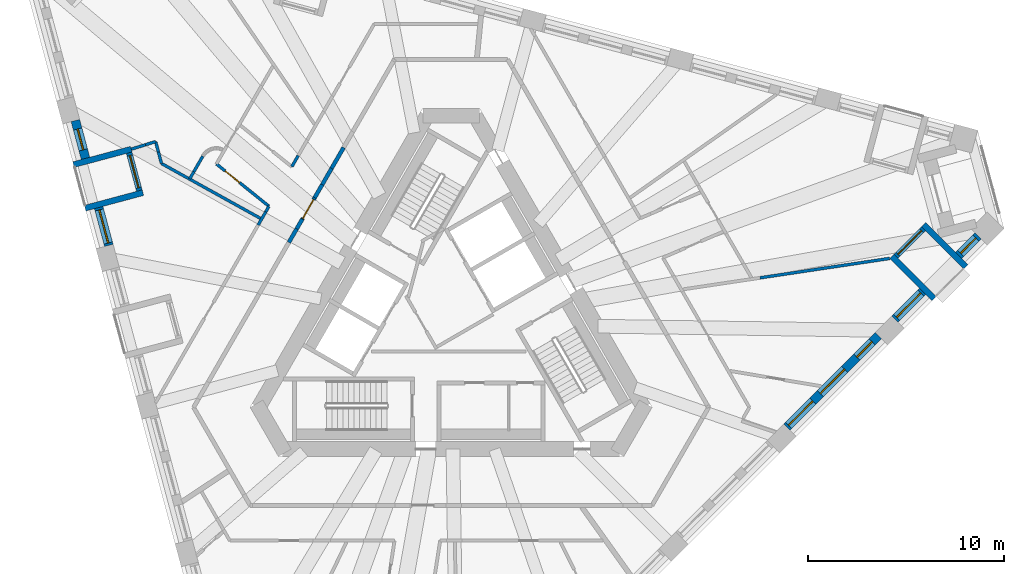
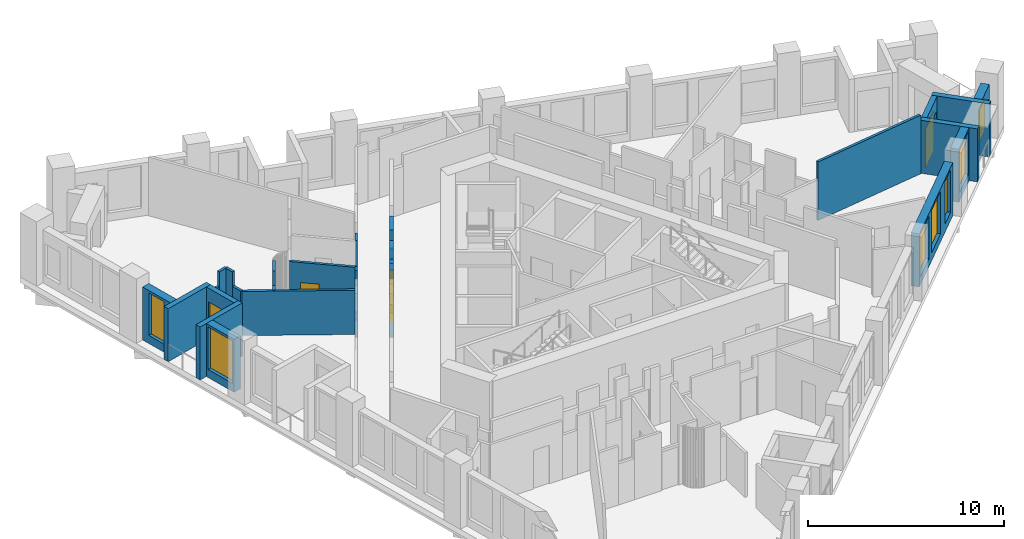
# One storey, part 6 of 13: 29 walls, 7 windows, 4 doors, 11 openings.
"""IFC4 building model written with IfcOpenShell, lengths in metres."""

import ifcopenshell
import ifcopenshell.guid

model = None  # the IFC model being written
_history = None  # IfcOwnerHistory: only IFC2X3 demands one
_inside = {}  # id of a spatial element -> (the spatial element, [elements in it])
_under = {}  # id of a project, library or spatial element -> (it, [spatial elements below it])
_declared = {}  # id of a project -> (the project, [libraries it declares])
_typed = {}  # id of a type object -> (the type object, [elements of that type])
_made_of = {}  # id of a material, layer set ... -> (it, [elements and type objects made of it])


def new_model(schema):
    """Start an empty IFC model of exactly this schema.

    Asked for "IFC4X3", IfcOpenShell would pick the latest addendum, in which some entities
    have other attributes; the version numbers below select the first issue.
    IFC2X3 requires an IfcOwnerHistory on every rooted entity: one is made here for all.
    """
    global model, _history
    if schema == "IFC4X3":
        model = ifcopenshell.file(schema_version=(4, 3, 0, 0))
    else:
        model = ifcopenshell.file(schema=schema)
    _inside.clear()
    _under.clear()
    _declared.clear()
    _typed.clear()
    _made_of.clear()
    _history = None
    if model.schema == "IFC2X3":
        org = make("IfcOrganization", Name="unknown")
        user = make(
            "IfcPersonAndOrganization",
            ThePerson=make("IfcPerson", FamilyName="unknown"),
            TheOrganization=org,
        )
        app = make(
            "IfcApplication",
            ApplicationDeveloper=org,
            Version="unknown",
            ApplicationFullName="unknown",
            ApplicationIdentifier="unknown",
        )
        _history = make(
            "IfcOwnerHistory",
            OwningUser=user,
            OwningApplication=app,
            ChangeAction="ADDED",
            CreationDate=0,
        )
    return model


def make(cls, **values):
    """One entity of the class cls with the attributes given. An attribute that is None is left unset."""
    return model.create_entity(
        cls, **{name: value for name, value in values.items() if value is not None}
    )


def rooted(cls, **values):
    """An entity with a GlobalId (a new one), such as an element, a storey or a relation."""
    return make(cls, GlobalId=ifcopenshell.guid.new(), OwnerHistory=_history, **values)


def si_unit(unit_type, name, prefix=None):
    """IfcSIUnit, for example si_unit("LENGTHUNIT", "METRE", prefix="MILLI")."""
    return make("IfcSIUnit", UnitType=unit_type, Prefix=prefix, Name=name)


def assignment(units):
    """IfcUnitAssignment: the units of a project."""
    return None if units is None else make("IfcUnitAssignment", Units=units)


def point(xyz):
    """IfcCartesianPoint."""
    return None if xyz is None else make("IfcCartesianPoint", Coordinates=xyz)


def direction(xyz):
    """IfcDirection."""
    return None if xyz is None else make("IfcDirection", DirectionRatios=xyz)


def frame(location, z_axis=None, x_axis=None):
    """IfcAxis2Placement3D, a coordinate frame: its origin and axes. An axis left out is left unset."""
    return make(
        "IfcAxis2Placement3D",
        Location=point(location),
        Axis=direction(z_axis),
        RefDirection=direction(x_axis),
    )


def frame_2d(location, x_axis=None):
    """IfcAxis2Placement2D, a coordinate frame in the plane: its origin and x axis."""
    return make(
        "IfcAxis2Placement2D", Location=point(location), RefDirection=direction(x_axis)
    )


def origin():
    """The frame at (0, 0, 0) with its axes left unset."""
    return frame((0.0, 0.0, 0.0))


def place(relative_to, where):
    """IfcLocalPlacement: puts the frame where relative to a parent placement (None: the world)."""
    return make(
        "IfcLocalPlacement", PlacementRelTo=relative_to, RelativePlacement=where
    )


def context(
    kind, dimensions, precision=None, world=None, true_north=None, identifier=None
):
    """IfcGeometricRepresentationContext, for example the 3D "Model" context."""
    return make(
        "IfcGeometricRepresentationContext",
        ContextIdentifier=identifier,
        ContextType=kind,
        CoordinateSpaceDimension=dimensions,
        Precision=precision,
        WorldCoordinateSystem=world,
        TrueNorth=true_north,
    )


def subcontext(parent, identifier, kind, view, scale=None):
    """IfcGeometricRepresentationSubContext, for example "Body" below "Model"."""
    return make(
        "IfcGeometricRepresentationSubContext",
        ContextIdentifier=identifier,
        ContextType=kind,
        ParentContext=parent,
        TargetScale=scale,
        TargetView=view,
    )


def project(units=None, contexts=None):
    """IfcProject with its units and contexts."""
    return rooted(
        "IfcProject",
        Name="project",
        RepresentationContexts=contexts,
        UnitsInContext=assignment(units),
    )


def spatial(cls, under=None, at=None, **own):
    """A site, building, storey or space (cls), placed at a placement, below another one or the project."""
    s = rooted(cls, ObjectPlacement=at, **own)
    if under is not None:
        _under.setdefault(under.id(), (under, []))[1].append(s)
    return s


def polyline(points):
    """IfcPolyline through the points."""
    return make("IfcPolyline", Points=[point(p) for p in points])


def profile(cls, at=None, kind="AREA", **sizes):
    """A parametric profile (cls). Its sizes go by their IFC names, for example OverallWidth=200.0."""
    return make(cls, ProfileType=kind, Position=at, **sizes)


def rectangle(**sizes):
    """IfcRectangleProfileDef."""
    return profile("IfcRectangleProfileDef", **sizes)


def outline(outer, holes=None, kind="AREA"):
    """IfcArbitraryClosedProfileDef: a profile drawn as a closed curve; with holes, ...WithVoids."""
    if holes is None:
        return make("IfcArbitraryClosedProfileDef", ProfileType=kind, OuterCurve=outer)
    return make(
        "IfcArbitraryProfileDefWithVoids",
        ProfileType=kind,
        OuterCurve=outer,
        InnerCurves=holes,
    )


def extrude(swept, where, along, depth):
    """IfcExtrudedAreaSolid: the profile swept, set in the frame where, extruded along a direction by depth."""
    return make(
        "IfcExtrudedAreaSolid",
        SweptArea=swept,
        Position=where,
        ExtrudedDirection=direction(along),
        Depth=depth,
    )


def shape(context_of_items, identifier, shape_type, items):
    """IfcShapeRepresentation: the items that make up one representation, for example the "Body"."""
    return make(
        "IfcShapeRepresentation",
        ContextOfItems=context_of_items,
        RepresentationIdentifier=identifier,
        RepresentationType=shape_type,
        Items=items,
    )


def material(Name=None, Category=None):
    """IfcMaterial."""
    return make("IfcMaterial", Name=Name, Category=Category)


def layer(
    of_material, thickness, ventilated=None, Name=None, Category=None, Priority=None
):
    """IfcMaterialLayer: one layer of a wall or slab, of a material (None: an air gap)."""
    return make(
        "IfcMaterialLayer",
        Material=of_material,
        LayerThickness=thickness,
        IsVentilated=ventilated,
        Name=Name,
        Category=Category,
        Priority=Priority,
    )


def layer_set(layers, Name=None):
    """IfcMaterialLayerSet."""
    return make("IfcMaterialLayerSet", MaterialLayers=layers, LayerSetName=Name)


def made_of(thing, what):
    """Note that an element or type object is made of a material, layer set ...; save() writes the relation."""
    if what is not None:
        _made_of.setdefault(what.id(), (what, []))[1].append(thing)
    return thing


def type_object(cls, material=None, **own):
    """A type object (cls), such as IfcWallType, which elements share."""
    return made_of(rooted(cls, **own), material)


def element(
    cls,
    number,
    at=None,
    inside=None,
    cuts=None,
    type_object=None,
    material=None,
    context=None,
    identifier="Body",
    shape_type=None,
    held_by="IfcProductDefinitionShape",
    body=None,
    shapes=None,
    **own,
):
    """One element of the class cls, such as IfcWall. Its Tag is "e" and its number.

    at: its placement. inside: the storey or other place that contains it. cuts: it is an
    opening in that element (IfcRelVoidsElement). A single representation is given by context,
    identifier, shape_type and body (its items); several are given by shapes. held_by: the class
    of the entity that holds the representations. save() writes the other relations.
    """
    e = rooted(cls, Tag="e%d" % number, ObjectPlacement=at, **own)
    if body is not None:
        shapes = [shape(context, identifier, shape_type, body)]
    if shapes is not None:
        e.Representation = make(held_by, Representations=shapes)
    if inside is not None:
        _inside.setdefault(inside.id(), (inside, []))[1].append(e)
    if cuts is not None:
        rooted(
            "IfcRelVoidsElement", RelatingBuildingElement=cuts, RelatedOpeningElement=e
        )
    if type_object is not None:
        _typed.setdefault(type_object.id(), (type_object, []))[1].append(e)
    return made_of(e, material)


def fill(opening, filler):
    """IfcRelFillsElement: the door or window that sits in an opening."""
    return rooted(
        "IfcRelFillsElement",
        RelatingOpeningElement=opening,
        RelatedBuildingElement=filler,
    )


def aggregate(whole, parts):
    """IfcRelAggregates: a whole, such as a stair, and the parts it consists of."""
    return rooted("IfcRelAggregates", RelatingObject=whole, RelatedObjects=parts)


def save(model, path):
    """Write the relations noted so far, then the file.

    IfcRelAggregates (storeys below a building ...), IfcRelContainedInSpatialStructure (elements
    in a storey), IfcRelDefinesByType, IfcRelAssociatesMaterial and IfcRelDeclares: one each for
    every whole, place, type object, material and project.
    """
    for whole, parts in _under.values():
        aggregate(whole, parts)
    for where, things in _inside.values():
        rooted(
            "IfcRelContainedInSpatialStructure",
            RelatedElements=things,
            RelatingStructure=where,
        )
    for kind, things in _typed.values():
        rooted("IfcRelDefinesByType", RelatedObjects=things, RelatingType=kind)
    for what, things in _made_of.values():
        rooted("IfcRelAssociatesMaterial", RelatedObjects=things, RelatingMaterial=what)
    for by, libraries in _declared.values():
        rooted("IfcRelDeclares", RelatingContext=by, RelatedDefinitions=libraries)
    model.write(path)


model = new_model("IFC4")

# Units and contexts
model_context = context("Model", 3, precision=1e-05, world=origin(), true_north=direction((0.0, 1.0)))
body_context = subcontext(model_context, "Body", "Model", "MODEL_VIEW")
ifc_project = project(units=[si_unit("LENGTHUNIT", "METRE"), si_unit("AREAUNIT", "SQUARE_METRE"), si_unit("VOLUMEUNIT", "CUBIC_METRE"), si_unit("PLANEANGLEUNIT", "RADIAN"), si_unit("MASSUNIT", "GRAM", prefix="KILO")], contexts=[model_context])

# Site, building, storey
site_placement = place(None, origin())
site = spatial("IfcSite", under=ifc_project, at=site_placement, CompositionType="ELEMENT")
building_placement = place(site_placement, origin())
building = spatial("IfcBuilding", under=site, at=building_placement, Name="Tramontana Tower", CompositionType="ELEMENT")
storey_placement = place(building_placement, frame((0.0, 0.0, 220.0)))
storey = spatial("IfcBuildingStorey", under=building, at=storey_placement, Name="L51", CompositionType="ELEMENT", Elevation=220.0)

# Walls
ifc_material_1 = material(Name="Blockwork", Category="masonry")
ifc_layer_1 = layer(ifc_material_1, 0.199951171875)
ifc_layer_set_1 = layer_set([ifc_layer_1], Name="ENTRY WALL 200")
wall_type_1 = type_object("IfcWallType", Name="ENTRY WALL 200", PredefinedType="SOLIDWALL", material=ifc_layer_set_1)
wall_1_placement = place(storey_placement, frame((-8.2783203125, 4.16162109375, 0.0), z_axis=(0.0, 0.0, 1.0), x_axis=(0.500109828528, 0.865961984968, 0.0)))
element("IfcWall", 1, at=wall_1_placement, inside=storey, type_object=wall_type_1, Name="Wall v51-ew4-5", PredefinedType="SOLIDWALL", context=body_context, shape_type="SweptSolid", body=[
    extrude(rectangle(XDim=0.800048828125, YDim=0.199951171875, at=frame_2d((0.39990234375, 0.0))), origin(), (0.0, 0.0, 1.0), 2.75),
])
wall_2_placement = place(storey_placement, frame((-7.878173828125, 4.8544921875, 0.0), z_axis=(0.0, 0.0, 1.0), x_axis=(0.499783563124, 0.866150327617, 0.0)))
element("IfcWall", 2, at=wall_2_placement, inside=storey, type_object=wall_type_1, Name="Wall v51-ew4-6", PredefinedType="SOLIDWALL", context=body_context, shape_type="SweptSolid", body=[
    extrude(rectangle(XDim=0.576416015625, YDim=0.199951171875, at=frame_2d((0.2880859375, 0.0))), origin(), (0.0, 0.0, 1.0), 3.64990234375),
])

# Wall, opening, door
wall_3_placement = place(storey_placement, frame((-7.590087890625, 5.353759765625, 0.0), z_axis=(0.0, 0.0, 1.0), x_axis=(0.50013570633, 0.86594703952, 0.0)))
wall_3 = element("IfcWall", 3, at=wall_3_placement, inside=storey, type_object=wall_type_1, Name="Wall v51-ew4-7", PredefinedType="SOLIDWALL", context=body_context, shape_type="SweptSolid", body=[
    extrude(outline(polyline([(0.0, 0.0), (1.261474609375, 0.0), (1.261474609375, 2.550048828125), (0.347412109375, 2.550048828125), (0.347412109375, 3.64990234375), (0.0, 3.64990234375), (0.0, 0.0)])), frame((0.0, 0.10009765625, 0.0), z_axis=(0.0, -1.0, 0.0), x_axis=(1.0, 0.0, 0.0)), (0.0, 0.0, 1.0), 0.199951171875),
])
opening_1_placement = place(wall_3_placement, frame((0.050048828125, 0.0, 0.0)))
opening_1 = element("IfcOpeningElement", 4, at=opening_1_placement, cuts=wall_3, Name="Opening B5B-19", PredefinedType="OPENING", context=body_context, shape_type="SweptSolid", body=[
    extrude(rectangle(XDim=1.10009765625, YDim=2.39990234375, at=frame_2d((0.550048828125, 1.199951171875))), frame((0.0, 0.10986328125, 0.0), z_axis=(0.0, -1.0, 0.0), x_axis=(1.0, 0.0, 0.0)), (0.0, 0.0, 1.0), 0.219970703125),
])
ifc_material_2 = material(Name="Painted timber", Category="wood")
door_type_1 = type_object("IfcDoorType", Name="DOOR ENTRY 1100", OperationType="SINGLE_SWING_LEFT", PredefinedType="DOOR", material=ifc_material_2)
door_1_placement = place(opening_1_placement, origin())
door_1 = element("IfcDoor", 5, at=door_1_placement, inside=storey, type_object=door_type_1, Name="Door B5B-19", OperationType="SINGLE_SWING_LEFT", OverallHeight=2.39990234375, OverallWidth=1.10009765625, PredefinedType="DOOR", context=body_context, shape_type="SweptSolid", body=[
    extrude(rectangle(XDim=1.10009765625, YDim=2.39990234375, at=frame_2d((0.550048828125, 1.199951171875))), frame((0.0, 0.02490234375, 0.0), z_axis=(0.0, -1.0, 0.0), x_axis=(1.0, 0.0, 0.0)), (0.0, 0.0, 1.0), 0.050048828125),
])
fill(opening_1, door_1)

# Walls
wall_4_placement = place(storey_placement, frame((-6.959228515625, 6.446044921875, 0.0), z_axis=(0.0, 0.0, 1.0), x_axis=(0.499997253739, 0.866026989333, 0.0)))
element("IfcWall", 6, at=wall_4_placement, inside=storey, type_object=wall_type_1, Name="Wall v51-ew4-8", PredefinedType="SOLIDWALL", context=body_context, shape_type="SweptSolid", body=[
    extrude(rectangle(XDim=0.76904296875, YDim=0.199951171875, at=frame_2d((0.384521484375, 0.0))), origin(), (0.0, 0.0, 1.0), 3.64990234375),
])
wall_5_placement = place(storey_placement, frame((-6.57470703125, 7.112060546875, 0.0), z_axis=(0.0, 0.0, 1.0), x_axis=(0.499869636591, 0.866100656052, 0.0)))
element("IfcWall", 7, at=wall_5_placement, inside=storey, type_object=wall_type_1, Name="Wall v51-ew4-9", PredefinedType="SOLIDWALL", context=body_context, shape_type="SweptSolid", body=[
    extrude(rectangle(XDim=0.957275390625, YDim=0.199951171875, at=frame_2d((0.478515625, 0.0))), origin(), (0.0, 0.0, 1.0), 2.550048828125),
])
wall_6_placement = place(storey_placement, frame((-6.09619140625, 7.941162109375, 0.0), z_axis=(0.0, 0.0, 1.0), x_axis=(0.500055461028, 0.865993380977, 0.0)))
element("IfcWall", 8, at=wall_6_placement, inside=storey, type_object=wall_type_1, Name="Wall v51-ew4-10", PredefinedType="SOLIDWALL", context=body_context, shape_type="SweptSolid", body=[
    extrude(rectangle(XDim=1.226806640625, YDim=0.199951171875, at=frame_2d((0.61328125, 0.0))), origin(), (0.0, 0.0, 1.0), 3.64990234375),
])

# Wall, opening, window
ifc_material_3 = material(Name="Precast concrete 60 MPa", Category="concrete")
ifc_layer_2 = layer(ifc_material_3, 0.449951171875)
ifc_layer_set_2 = layer_set([ifc_layer_2], Name="Precast concrete 60 MPa, 450 mm")
wall_type_2 = type_object("IfcWallType", Name="EW1 Stone-faced precast wall 450", PredefinedType="SOLIDWALL", material=ifc_layer_set_2)
wall_7_placement = place(storey_placement, frame((-19.1650390625, 10.3818359375, 0.0), z_axis=(0.0, 0.0, 1.0), x_axis=(0.258803270362, -0.96593005298, 0.0)))
wall_7 = element("IfcWall", 9, at=wall_7_placement, inside=storey, type_object=wall_type_2, Name="External wall L51 face 0 bay 2", PredefinedType="SOLIDWALL", context=body_context, shape_type="SweptSolid", body=[
    extrude(rectangle(XDim=1.998046875, YDim=0.449951171875, at=frame_2d((0.9990234375, 0.0))), origin(), (0.0, 0.0, 1.0), 3.300048828125),
])
opening_2_placement = place(wall_7_placement, frame((0.448974609375, 0.0, 0.5)))
opening_2 = element("IfcOpeningElement", 10, at=opening_2_placement, cuts=wall_7, Name="Opening N2", PredefinedType="OPENING", context=body_context, shape_type="SweptSolid", body=[
    extrude(rectangle(XDim=1.10009765625, YDim=2.64990234375, at=frame_2d((0.550048828125, 1.324951171875))), frame((0.0, 0.23486328125, 0.0), z_axis=(0.0, -1.0, 0.0), x_axis=(1.0, 0.0, 0.0)), (0.0, 0.0, 1.0), 0.469970703125),
])
ifc_material_4 = material(Name="Aluminum frame, double glazing unit", Category="aluminium")
window_type_1 = type_object("IfcWindowType", Name="N2 Window 1.1 x 2.65", PartitioningType="SINGLE_PANEL", PredefinedType="WINDOW", material=ifc_material_4)
window_1_placement = place(opening_2_placement, origin())
window_1 = element("IfcWindow", 11, at=window_1_placement, inside=storey, type_object=window_type_1, Name="Window N2 L51 face 0 module 4", OverallHeight=2.64990234375, OverallWidth=1.10009765625, PartitioningType="SINGLE_PANEL", PredefinedType="WINDOW", context=body_context, shape_type="SweptSolid", body=[
    extrude(rectangle(XDim=1.10009765625, YDim=2.64990234375, at=frame_2d((0.550048828125, 1.324951171875))), frame((0.0, 0.030029296875, 0.0), z_axis=(0.0, -1.0, 0.0), x_axis=(1.0, 0.0, 0.0)), (0.0, 0.0, 1.0), 0.06005859375),
])
fill(opening_2, window_1)

wall_8_placement = place(storey_placement, frame((-17.9755859375, 5.9423828125, 0.0), z_axis=(0.0, 0.0, 1.0), x_axis=(0.25891727291, -0.965899500874, 0.0)))
wall_8 = element("IfcWall", 12, at=wall_8_placement, inside=storey, type_object=wall_type_2, Name="External wall L51 face 0 bay 2", PredefinedType="SOLIDWALL", context=body_context, shape_type="SweptSolid", body=[
    extrude(rectangle(XDim=1.998046875, YDim=0.449951171875, at=frame_2d((0.9990234375, 0.0))), origin(), (0.0, 0.0, 1.0), 3.300048828125),
])
opening_3_placement = place(wall_8_placement, frame((0.1240234375, 0.0, 0.5)))
opening_3 = element("IfcOpeningElement", 13, at=opening_3_placement, cuts=wall_8, Name="Opening M2", PredefinedType="OPENING", context=body_context, shape_type="SweptSolid", body=[
    extrude(rectangle(XDim=1.75, YDim=2.64990234375, at=frame_2d((0.875, 1.324951171875))), frame((0.0, 0.23486328125, 0.0), z_axis=(0.0, -1.0, 0.0), x_axis=(1.0, 0.0, 0.0)), (0.0, 0.0, 1.0), 0.469970703125),
])
ifc_material_5 = material(Name="Aluminum frame, double glazing unit", Category="aluminium")
window_type_2 = type_object("IfcWindowType", Name="M2 Window 1.75 x 2.65", PartitioningType="SINGLE_PANEL", PredefinedType="WINDOW", material=ifc_material_5)
window_2_placement = place(opening_3_placement, origin())
window_2 = element("IfcWindow", 14, at=window_2_placement, inside=storey, type_object=window_type_2, Name="Window M2 L51 face 0 module 6", OverallHeight=2.64990234375, OverallWidth=1.75, PartitioningType="SINGLE_PANEL", PredefinedType="WINDOW", context=body_context, shape_type="SweptSolid", body=[
    extrude(rectangle(XDim=1.75, YDim=2.64990234375, at=frame_2d((0.875, 1.324951171875))), frame((0.0, 0.030029296875, 0.0), z_axis=(0.0, -1.0, 0.0), x_axis=(1.0, 0.0, 0.0)), (0.0, 0.0, 1.0), 0.06005859375),
])
fill(opening_3, window_2)

# Wall, openings, windows
wall_9_placement = place(storey_placement, frame((17.12548828125, -5.25439453125, 0.0), z_axis=(0.0, 0.0, 1.0), x_axis=(0.707106781187, 0.707106781187, 0.0)))
wall_9 = element("IfcWall", 15, at=wall_9_placement, inside=storey, type_object=wall_type_2, Name="External wall L51 face 1 bay 5", PredefinedType="SOLIDWALL", context=body_context, shape_type="SweptSolid", body=[
    extrude(rectangle(XDim=6.59423828125, YDim=0.449951171875, at=frame_2d((3.297119140625, 0.0))), origin(), (0.0, 0.0, 1.0), 3.300048828125),
])
opening_4_placement = place(wall_9_placement, frame((0.1240234375, 0.0, 0.5)))
opening_4 = element("IfcOpeningElement", 16, at=opening_4_placement, cuts=wall_9, Name="Opening M2", PredefinedType="OPENING", context=body_context, shape_type="SweptSolid", body=[
    extrude(rectangle(XDim=1.75, YDim=2.64990234375, at=frame_2d((0.875, 1.324951171875))), frame((0.0, 0.23486328125, 0.0), z_axis=(0.0, -1.0, 0.0), x_axis=(1.0, 0.0, 0.0)), (0.0, 0.0, 1.0), 0.469970703125),
])
opening_5_placement = place(wall_9_placement, frame((2.422119140625, 0.0, 0.5)))
opening_5 = element("IfcOpeningElement", 17, at=opening_5_placement, cuts=wall_9, Name="Opening M2", PredefinedType="OPENING", context=body_context, shape_type="SweptSolid", body=[
    extrude(rectangle(XDim=1.75, YDim=2.64990234375, at=frame_2d((0.875, 1.324951171875))), frame((0.0, 0.23486328125, 0.0), z_axis=(0.0, -1.0, 0.0), x_axis=(1.0, 0.0, 0.0)), (0.0, 0.0, 1.0), 0.469970703125),
])
opening_6_placement = place(wall_9_placement, frame((5.045166015625, 0.0, 0.5)))
opening_6 = element("IfcOpeningElement", 18, at=opening_6_placement, cuts=wall_9, Name="Opening N2", PredefinedType="OPENING", context=body_context, shape_type="SweptSolid", body=[
    extrude(rectangle(XDim=1.10009765625, YDim=2.64990234375, at=frame_2d((0.550048828125, 1.324951171875))), frame((0.0, 0.23486328125, 0.0), z_axis=(0.0, -1.0, 0.0), x_axis=(1.0, 0.0, 0.0)), (0.0, 0.0, 1.0), 0.469970703125),
])
window_3_placement = place(opening_4_placement, origin())
window_3 = element("IfcWindow", 19, at=window_3_placement, inside=storey, type_object=window_type_2, Name="Window M2 L51 face 1 module 13", OverallHeight=2.64990234375, OverallWidth=1.75, PartitioningType="SINGLE_PANEL", PredefinedType="WINDOW", context=body_context, shape_type="SweptSolid", body=[
    extrude(rectangle(XDim=1.75, YDim=2.64990234375, at=frame_2d((0.875, 1.324951171875))), frame((0.0, 0.030029296875, 0.0), z_axis=(0.0, -1.0, 0.0), x_axis=(1.0, 0.0, 0.0)), (0.0, 0.0, 1.0), 0.06005859375),
])
fill(opening_4, window_3)
window_4_placement = place(opening_5_placement, origin())
window_4 = element("IfcWindow", 20, at=window_4_placement, inside=storey, type_object=window_type_2, Name="Window M2 L51 face 1 module 14", OverallHeight=2.64990234375, OverallWidth=1.75, PartitioningType="SINGLE_PANEL", PredefinedType="WINDOW", context=body_context, shape_type="SweptSolid", body=[
    extrude(rectangle(XDim=1.75, YDim=2.64990234375, at=frame_2d((0.875, 1.324951171875))), frame((0.0, 0.030029296875, 0.0), z_axis=(0.0, -1.0, 0.0), x_axis=(1.0, 0.0, 0.0)), (0.0, 0.0, 1.0), 0.06005859375),
])
fill(opening_5, window_4)
window_5_placement = place(opening_6_placement, origin())
window_5 = element("IfcWindow", 21, at=window_5_placement, inside=storey, type_object=window_type_1, Name="Window N2 L51 face 1 module 15", OverallHeight=2.64990234375, OverallWidth=1.10009765625, PartitioningType="SINGLE_PANEL", PredefinedType="WINDOW", context=body_context, shape_type="SweptSolid", body=[
    extrude(rectangle(XDim=1.10009765625, YDim=2.64990234375, at=frame_2d((0.550048828125, 1.324951171875))), frame((0.0, 0.030029296875, 0.0), z_axis=(0.0, -1.0, 0.0), x_axis=(1.0, 0.0, 0.0)), (0.0, 0.0, 1.0), 0.06005859375),
])
fill(opening_6, window_5)

# Wall, opening, window
wall_10_placement = place(storey_placement, frame((22.636962890625, 0.257080078125, 0.0), z_axis=(0.0, 0.0, 1.0), x_axis=(0.707106781187, 0.707106781187, 0.0)))
wall_10 = element("IfcWall", 22, at=wall_10_placement, inside=storey, type_object=wall_type_2, Name="External wall L51 face 1 bay 6", PredefinedType="SOLIDWALL", context=body_context, shape_type="SweptSolid", body=[
    extrude(rectangle(XDim=1.998046875, YDim=0.449951171875, at=frame_2d((0.9990234375, 0.0))), origin(), (0.0, 0.0, 1.0), 3.300048828125),
])
opening_7_placement = place(wall_10_placement, frame((0.1240234375, 0.0, 0.5)))
opening_7 = element("IfcOpeningElement", 23, at=opening_7_placement, cuts=wall_10, Name="Opening M2", PredefinedType="OPENING", context=body_context, shape_type="SweptSolid", body=[
    extrude(rectangle(XDim=1.75, YDim=2.64990234375, at=frame_2d((0.875, 1.324951171875))), frame((0.0, 0.23486328125, 0.0), z_axis=(0.0, -1.0, 0.0), x_axis=(1.0, 0.0, 0.0)), (0.0, 0.0, 1.0), 0.469970703125),
])
window_6_placement = place(opening_7_placement, origin())
window_6 = element("IfcWindow", 24, at=window_6_placement, inside=storey, type_object=window_type_2, Name="Window M2 L51 face 1 module 16", OverallHeight=2.64990234375, OverallWidth=1.75, PartitioningType="SINGLE_PANEL", PredefinedType="WINDOW", context=body_context, shape_type="SweptSolid", body=[
    extrude(rectangle(XDim=1.75, YDim=2.64990234375, at=frame_2d((0.875, 1.324951171875))), frame((0.0, 0.030029296875, 0.0), z_axis=(0.0, -1.0, 0.0), x_axis=(1.0, 0.0, 0.0)), (0.0, 0.0, 1.0), 0.06005859375),
])
fill(opening_7, window_6)

wall_11_placement = place(storey_placement, frame((25.886962890625, 3.507080078125, 0.0), z_axis=(0.0, 0.0, 1.0), x_axis=(0.707106781187, 0.707106781187, 0.0)))
wall_11 = element("IfcWall", 25, at=wall_11_placement, inside=storey, type_object=wall_type_2, Name="External wall L51 face 1 bay 6", PredefinedType="SOLIDWALL", context=body_context, shape_type="SweptSolid", body=[
    extrude(rectangle(XDim=1.39794921875, YDim=0.449951171875, at=frame_2d((0.698974609375, 0.0))), origin(), (0.0, 0.0, 1.0), 3.300048828125),
])
opening_8_placement = place(wall_11_placement, frame((0.14892578125, 0.0, 0.5)))
opening_8 = element("IfcOpeningElement", 26, at=opening_8_placement, cuts=wall_11, Name="Opening N2L", PredefinedType="OPENING", context=body_context, shape_type="SweptSolid", body=[
    extrude(rectangle(XDim=1.10009765625, YDim=2.0, at=frame_2d((0.550048828125, 1.0))), frame((0.0, 0.23486328125, 0.0), z_axis=(0.0, -1.0, 0.0), x_axis=(1.0, 0.0, 0.0)), (0.0, 0.0, 1.0), 0.469970703125),
])
ifc_material_6 = material(Name="Aluminum frame, double glazing unit", Category="aluminium")
window_type_3 = type_object("IfcWindowType", Name="N2L Window 1.1 x 2", PartitioningType="SINGLE_PANEL", PredefinedType="WINDOW", material=ifc_material_6)
window_7_placement = place(opening_8_placement, origin())
window_7 = element("IfcWindow", 27, at=window_7_placement, inside=storey, type_object=window_type_3, Name="Window N2L L51 face 1 module 18", OverallHeight=2.0, OverallWidth=1.10009765625, PartitioningType="SINGLE_PANEL", PredefinedType="WINDOW", context=body_context, shape_type="SweptSolid", body=[
    extrude(rectangle(XDim=1.10009765625, YDim=2.0, at=frame_2d((0.550048828125, 1.0))), frame((0.0, 0.030029296875, 0.0), z_axis=(0.0, -1.0, 0.0), x_axis=(1.0, 0.0, 0.0)), (0.0, 0.0, 1.0), 0.06005859375),
])
fill(opening_8, window_7)

# Wall, opening, door
ifc_material_7 = material(Name="Precast concrete 60 MPa", Category="concrete")
ifc_layer_3 = layer(ifc_material_7, 0.300048828125)
ifc_layer_set_3 = layer_set([ifc_layer_3], Name="LW1 Stone-faced loggia wall 300")
wall_type_3 = type_object("IfcWallType", Name="LW1 Stone-faced loggia wall 300", PredefinedType="SOLIDWALL", material=ifc_layer_set_3)
wall_12_placement = place(storey_placement, frame((-16.421142578125, 8.738037109375, 0.0), z_axis=(0.0, 0.0, 1.0), x_axis=(0.258803270362, -0.96593005298, 0.0)))
wall_12 = element("IfcWall", 28, at=wall_12_placement, inside=storey, type_object=wall_type_3, Name="Loggia wall L51 G5S0.4", PredefinedType="SOLIDWALL", context=body_context, shape_type="SweptSolid", body=[
    extrude(rectangle(XDim=1.998046875, YDim=0.300048828125, at=frame_2d((0.9990234375, 0.0))), origin(), (0.0, 0.0, 1.0), 3.300048828125),
])
opening_9_placement = place(wall_12_placement, frame((0.14892578125, 0.0, 0.0)))
opening_9 = element("IfcOpeningElement", 29, at=opening_9_placement, cuts=wall_12, Name="Opening BD-5S0-04", PredefinedType="OPENING", context=body_context, shape_type="SweptSolid", body=[
    extrude(rectangle(XDim=1.699951171875, YDim=2.449951171875, at=frame_2d((0.85009765625, 1.22509765625))), frame((0.0, 0.159912109375, 0.0), z_axis=(0.0, -1.0, 0.0), x_axis=(1.0, 0.0, 0.0)), (0.0, 0.0, 1.0), 0.320068359375),
])
ifc_material_8 = material(Name="Aluminum frame, double glazing unit", Category="aluminium")
door_type_2 = type_object("IfcDoorType", Name="BD2 Sliding door 1.7 x 2.45", OperationType="SLIDING_TO_LEFT", PredefinedType="DOOR", material=ifc_material_8)
door_2_placement = place(opening_9_placement, origin())
door_2 = element("IfcDoor", 30, at=door_2_placement, inside=storey, type_object=door_type_2, Name="Loggia door L51 G5S0.4", OperationType="SLIDING_TO_LEFT", OverallHeight=2.449951171875, OverallWidth=1.699951171875, PredefinedType="DOOR", context=body_context, shape_type="SweptSolid", body=[
    extrude(rectangle(XDim=1.699951171875, YDim=2.449951171875, at=frame_2d((0.85009765625, 1.22509765625))), frame((0.0, 0.02490234375, 0.0), z_axis=(0.0, -1.0, 0.0), x_axis=(1.0, 0.0, 0.0)), (0.0, 0.0, 1.0), 0.050048828125),
])
fill(opening_9, door_2)

# Walls
wall_13_placement = place(storey_placement, frame((-19.26123046875, 8.13232421875, 0.0), z_axis=(0.0, 0.0, 1.0), x_axis=(0.9659380486, 0.25877342651, 0.0)))
element("IfcWall", 31, at=wall_13_placement, inside=storey, type_object=wall_type_3, Name="Loggia return L51 G5S0.4a", PredefinedType="SOLIDWALL", context=body_context, shape_type="SweptSolid", body=[
    extrude(rectangle(XDim=3.05029296875, YDim=0.300048828125, at=frame_2d((1.525146484375, 0.0))), origin(), (0.0, 0.0, 1.0), 3.300048828125),
])
wall_14_placement = place(storey_placement, frame((-18.666259765625, 5.91259765625, 0.0), z_axis=(0.0, 0.0, 1.0), x_axis=(0.965932688119, 0.258793435045, 0.0)))
element("IfcWall", 32, at=wall_14_placement, inside=storey, type_object=wall_type_3, Name="Loggia return L51 G5S0.4b", PredefinedType="SOLIDWALL", context=body_context, shape_type="SweptSolid", body=[
    extrude(rectangle(XDim=3.050048828125, YDim=0.300048828125, at=frame_2d((1.52490234375, 0.0))), origin(), (0.0, 0.0, 1.0), 3.300048828125),
])

# Wall, opening, door
wall_15_placement = place(storey_placement, frame((22.688720703125, 3.455322265625, 0.0), z_axis=(0.0, 0.0, 1.0), x_axis=(0.707106781187, 0.707106781187, 0.0)))
wall_15 = element("IfcWall", 33, at=wall_15_placement, inside=storey, type_object=wall_type_3, Name="Loggia wall L51 G5S1.16", PredefinedType="SOLIDWALL", context=body_context, shape_type="SweptSolid", body=[
    extrude(rectangle(XDim=1.998046875, YDim=0.300048828125, at=frame_2d((0.9990234375, 0.0))), origin(), (0.0, 0.0, 1.0), 3.300048828125),
])
opening_10_placement = place(wall_15_placement, frame((0.14892578125, 0.0, 0.0)))
opening_10 = element("IfcOpeningElement", 34, at=opening_10_placement, cuts=wall_15, Name="Opening BD-5S1-16", PredefinedType="OPENING", context=body_context, shape_type="SweptSolid", body=[
    extrude(rectangle(XDim=1.699951171875, YDim=2.449951171875, at=frame_2d((0.85009765625, 1.22509765625))), frame((0.0, 0.159912109375, 0.0), z_axis=(0.0, -1.0, 0.0), x_axis=(1.0, 0.0, 0.0)), (0.0, 0.0, 1.0), 0.320068359375),
])
door_3_placement = place(opening_10_placement, origin())
door_3 = element("IfcDoor", 35, at=door_3_placement, inside=storey, type_object=door_type_2, Name="Loggia door L51 G5S1.16", OperationType="SLIDING_TO_LEFT", OverallHeight=2.449951171875, OverallWidth=1.699951171875, PredefinedType="DOOR", context=body_context, shape_type="SweptSolid", body=[
    extrude(rectangle(XDim=1.699951171875, YDim=2.449951171875, at=frame_2d((0.85009765625, 1.22509765625))), frame((0.0, 0.02490234375, 0.0), z_axis=(0.0, -1.0, 0.0), x_axis=(1.0, 0.0, 0.0)), (0.0, 0.0, 1.0), 0.050048828125),
])
fill(opening_10, door_3)

# Walls
for number, where, z_axis, x_axis, name in (
    (36, (24.633056640625, 1.298583984375, 0.0), (0.0, 0.0, 1.0), (-0.707066755897, 0.707146804211, 0.0), "Loggia return L51 G5S1.16a"),
    (37, (26.258056640625, 2.923583984375, 0.0), (0.0, 0.0, 1.0), (-0.707066755897, 0.707146804211, 0.0), "Loggia return L51 G5S1.16b"),
):
    element("IfcWall", number, at=place(storey_placement, frame(where, z_axis=z_axis, x_axis=x_axis)), inside=storey, type_object=wall_type_3, Name=name, PredefinedType="SOLIDWALL", context=body_context, shape_type="SweptSolid", body=[
        extrude(rectangle(XDim=3.0498046875, YDim=0.300048828125, at=frame_2d((1.52490234375, 0.0))), origin(), (0.0, 0.0, 1.0), 3.300048828125),
    ])
ifc_material_9 = material(Name="Gypsum board partition")
ifc_layer_4 = layer(ifc_material_9, 0.14990234375)
ifc_layer_set_4 = layer_set([ifc_layer_4], Name="PARTITION 150")
wall_type_4 = type_object("IfcWallType", Name="PARTITION 150", PredefinedType="PARTITIONING", material=ifc_layer_set_4)
wall_16_placement = place(storey_placement, frame((-9.843994140625, 5.0498046875, 0.0), z_axis=(0.0, 0.0, 1.0), x_axis=(0.500204125617, 0.865907519724, 0.0)))
element("IfcWall", 38, at=wall_16_placement, inside=storey, type_object=wall_type_4, Name="Wall v51-pw01-4", PredefinedType="PARTITIONING", context=body_context, shape_type="SweptSolid", body=[
    extrude(rectangle(XDim=0.775146484375, YDim=0.14990234375, at=frame_2d((0.3876953125, 0.0))), origin(), (0.0, 0.0, 1.0), 2.75),
])
wall_17_placement = place(storey_placement, frame((-9.456298828125, 5.720947265625, 0.0), z_axis=(0.0, 0.0, 1.0), x_axis=(0.499572501669, 0.866272079416, 0.0)))
element("IfcWall", 39, at=wall_17_placement, inside=storey, type_object=wall_type_4, Name="Wall v51-pw01-5", PredefinedType="PARTITIONING", context=body_context, shape_type="SweptSolid", body=[
    extrude(rectangle(XDim=0.328857421875, YDim=0.14990234375, at=frame_2d((0.16455078125, 0.0))), origin(), (0.0, 0.0, 1.0), 3.64990234375),
])
wall_18_placement = place(storey_placement, frame((-15.073974609375, 9.30615234375, 0.0), z_axis=(0.0, 0.0, 1.0), x_axis=(-0.955252629149, -0.295791167049, 0.0)))
element("IfcWall", 40, at=wall_18_placement, inside=storey, type_object=wall_type_4, Name="Wall v51-pw02-0", PredefinedType="PARTITIONING", context=body_context, shape_type="SweptSolid", body=[
    extrude(rectangle(XDim=0.543212890625, YDim=0.14990234375, at=frame_2d((0.271484375, 0.0))), origin(), (0.0, 0.0, 1.0), 3.64990234375),
])
wall_19_placement = place(storey_placement, frame((-15.5927734375, 9.1455078125, 0.0), z_axis=(0.0, 0.0, 1.0), x_axis=(-0.955155499666, -0.296104663013, 0.0)))
element("IfcWall", 41, at=wall_19_placement, inside=storey, type_object=wall_type_4, Name="Wall v51-pw02-1", PredefinedType="PARTITIONING", context=body_context, shape_type="SweptSolid", body=[
    extrude(rectangle(XDim=0.756103515625, YDim=0.14990234375, at=frame_2d((0.3779296875, 0.0))), origin(), (0.0, 0.0, 1.0), 2.75),
])
wall_20_placement = place(storey_placement, frame((-14.77294921875, 8.190185546875, 0.0), z_axis=(0.0, 0.0, 1.0), x_axis=(-0.258715941946, 0.965953446799, 0.0)))
element("IfcWall", 42, at=wall_20_placement, inside=storey, type_object=wall_type_4, Name="Wall v51-pw03-0", PredefinedType="PARTITIONING", context=body_context, shape_type="SweptSolid", body=[
    extrude(rectangle(XDim=0.605712890625, YDim=0.14990234375, at=frame_2d((0.302734375, 0.0))), origin(), (0.0, 0.0, 1.0), 2.75),
])
wall_21_placement = place(storey_placement, frame((-14.9296875, 8.775390625, 0.0), z_axis=(0.0, 0.0, 1.0), x_axis=(-0.258743505369, 0.965946063934, 0.0)))
element("IfcWall", 43, at=wall_21_placement, inside=storey, type_object=wall_type_4, Name="Wall v51-pw03-1", PredefinedType="PARTITIONING", context=body_context, shape_type="SweptSolid", body=[
    extrude(rectangle(XDim=0.548095703125, YDim=0.14990234375, at=frame_2d((0.27392578125, 0.0))), origin(), (0.0, 0.0, 1.0), 3.64990234375),
])
wall_22_placement = place(storey_placement, frame((-13.33251953125, 7.407470703125, 0.0), z_axis=(0.0, 0.0, 1.0), x_axis=(0.50011153263, 0.865961000814, 0.0)))
element("IfcWall", 44, at=wall_22_placement, inside=storey, type_object=wall_type_4, Name="Wall v51-pw05-0", PredefinedType="PARTITIONING", context=body_context, shape_type="SweptSolid", body=[
    extrude(rectangle(XDim=0.41650390625, YDim=0.14990234375, at=frame_2d((0.208251953125, 0.0))), origin(), (0.0, 0.0, 1.0), 2.75),
])
wall_23_placement = place(storey_placement, frame((-13.124267578125, 7.76806640625, 0.0), z_axis=(0.0, 0.0, 1.0), x_axis=(0.499982117899, 0.866035727774, 0.0)))
element("IfcWall", 45, at=wall_23_placement, inside=storey, type_object=wall_type_4, Name="Wall v51-pw05-1", PredefinedType="PARTITIONING", context=body_context, shape_type="SweptSolid", body=[
    extrude(rectangle(XDim=0.92236328125, YDim=0.14990234375, at=frame_2d((0.461181640625, 0.0))), origin(), (0.0, 0.0, 1.0), 3.64990234375),
])
wall_24_placement = place(storey_placement, frame((-9.731201171875, 5.39501953125, 0.0), z_axis=(0.0, 0.0, 1.0), x_axis=(-0.874584439846, 0.484873238671, 0.0)))
element("IfcWall", 46, at=wall_24_placement, inside=storey, type_object=wall_type_4, Name="Wall v51-pw27-0", PredefinedType="PARTITIONING", context=body_context, shape_type="SweptSolid", body=[
    extrude(rectangle(XDim=5.7646484375, YDim=0.14990234375, at=frame_2d((2.88232421875, 0.0))), origin(), (0.0, 0.0, 1.0), 2.75),
])

# Wall, opening, door
wall_25_placement = place(storey_placement, frame((-9.292724609375, 6.009765625, 0.0), z_axis=(0.0, 0.0, 1.0), x_axis=(-0.778674886867, 0.627427621772, 0.0)))
wall_25 = element("IfcWall", 47, at=wall_25_placement, inside=storey, type_object=wall_type_4, Name="Wall v51-pw28", PredefinedType="PARTITIONING", context=body_context, shape_type="SweptSolid", body=[
    extrude(rectangle(XDim=3.438232421875, YDim=0.14990234375, at=frame_2d((1.71923828125, 0.0))), origin(), (0.0, 0.0, 1.0), 3.64990234375),
])
opening_11_placement = place(wall_25_placement, frame((1.919921875, 0.0, 0.0)))
opening_11 = element("IfcOpeningElement", 48, at=opening_11_placement, cuts=wall_25, Name="Opening B5B-01", PredefinedType="OPENING", context=body_context, shape_type="SweptSolid", body=[
    extrude(rectangle(XDim=0.949951171875, YDim=2.39990234375, at=frame_2d((0.47509765625, 1.199951171875))), frame((0.0, 0.0849609375, 0.0), z_axis=(0.0, -1.0, 0.0), x_axis=(1.0, 0.0, 0.0)), (0.0, 0.0, 1.0), 0.169921875),
])
ifc_material_10 = material(Name="Painted timber", Category="wood")
door_type_3 = type_object("IfcDoorType", Name="DOOR ROOM 950", OperationType="SINGLE_SWING_LEFT", PredefinedType="DOOR", material=ifc_material_10)
door_4_placement = place(opening_11_placement, origin())
door_4 = element("IfcDoor", 49, at=door_4_placement, inside=storey, type_object=door_type_3, Name="Door B5B-01", OperationType="SINGLE_SWING_LEFT", OverallHeight=2.39990234375, OverallWidth=0.949951171875, PredefinedType="DOOR", context=body_context, shape_type="SweptSolid", body=[
    extrude(rectangle(XDim=0.949951171875, YDim=2.39990234375, at=frame_2d((0.47509765625, 1.199951171875))), frame((0.0, 0.02490234375, 0.0), z_axis=(0.0, -1.0, 0.0), x_axis=(1.0, 0.0, 0.0)), (0.0, 0.0, 1.0), 0.050048828125),
])
fill(opening_11, door_4)

# Walls
wall_26_placement = place(storey_placement, frame((-8.125, 8.027099609375, 0.0), z_axis=(0.0, 0.0, 1.0), x_axis=(0.499907248082, 0.866078947507, 0.0)))
element("IfcWall", 50, at=wall_26_placement, inside=storey, type_object=wall_type_4, Name="Wall v51-pw29-0", PredefinedType="PARTITIONING", context=body_context, shape_type="SweptSolid", body=[
    extrude(rectangle(XDim=0.64794921875, YDim=0.14990234375, at=frame_2d((0.323974609375, 0.0))), origin(), (0.0, 0.0, 1.0), 3.64990234375),
])
wall_27_placement = place(storey_placement, frame((22.370361328125, 3.34912109375, 0.0), z_axis=(0.0, 0.0, 1.0), x_axis=(-0.988979396503, -0.148053211016, 0.0)))
element("IfcWall", 51, at=wall_27_placement, inside=storey, type_object=wall_type_4, Name="Wall v51-pw67-0", PredefinedType="PARTITIONING", context=body_context, shape_type="SweptSolid", body=[
    extrude(rectangle(XDim=6.691650390625, YDim=0.14990234375, at=frame_2d((3.345703125, 0.0))), origin(), (0.0, 0.0, 1.0), 3.64990234375),
])

save(model, "model.ifc")
